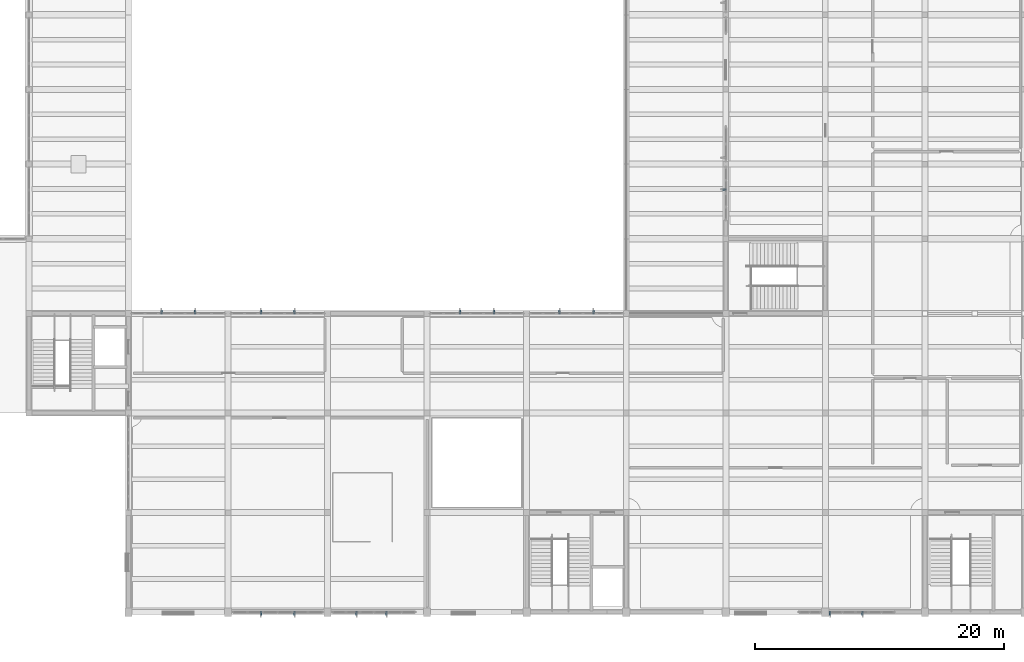
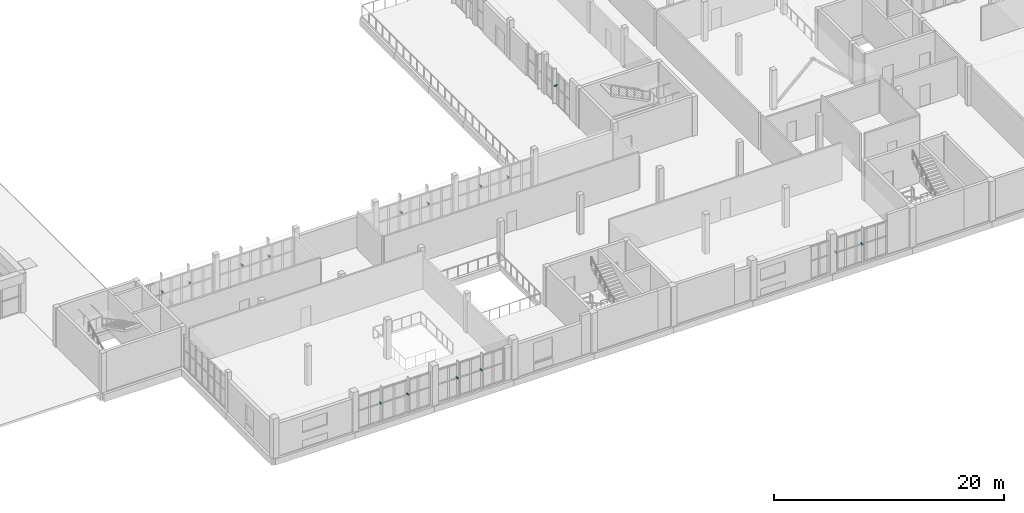
# One storey, part 59 of 70: 15 discrete accessories.
"""IFC4 building model written with IfcOpenShell, lengths in metres."""

from ifc_helpers import new_model, si_unit, direction, frame, origin, origin_2d, place, context, subcontext, project, spatial, rectangle, extrude, material, type_object, element, save


model = new_model("IFC4")

# Units and contexts
model_context = context("Model", 3, precision=1e-05, world=origin(), true_north=direction((0.0, 1.0)))
body_context = subcontext(model_context, "Body", "Model", "MODEL_VIEW")
ifc_project = project(units=[si_unit("LENGTHUNIT", "METRE"), si_unit("AREAUNIT", "SQUARE_METRE"), si_unit("VOLUMEUNIT", "CUBIC_METRE"), si_unit("PLANEANGLEUNIT", "RADIAN"), si_unit("MASSUNIT", "GRAM", prefix="KILO")], contexts=[model_context])

# Site, building, storey
site_placement = place(None, origin())
site = spatial("IfcSite", under=ifc_project, at=site_placement, CompositionType="ELEMENT")
building_placement = place(site_placement, origin())
building = spatial("IfcBuilding", under=site, at=building_placement, Name="Solvane Community Centre", CompositionType="ELEMENT")
storey_placement = place(building_placement, frame((0.0, 0.0, 9.60009765625)))
storey = spatial("IfcBuildingStorey", under=building, at=storey_placement, Name="L02", CompositionType="ELEMENT", Elevation=9.60009765625)

# Discrete accessories
ifc_material = material(Name="Steel ASTM A572 Grade 50", Category="steel")
discrete_accessory_type = type_object("IfcDiscreteAccessoryType", Name="Fin Mounting Bracket 120x120", PredefinedType="BRACKET", material=ifc_material)
for number, where, z_axis, x_axis, name in (
    (1, (127.0, 5.89990234375, 1.929931640625), (0.0, 0.0, 1.0), (-1.0, 0.0, 0.0), "Fin Bracket 73"),
    (2, (124.384765625, 5.89990234375, 1.929931640625), (0.0, 0.0, 1.0), (-1.0, 0.0, 0.0), "Fin Bracket 74"),
    (3, (88.741455078125, 5.89990234375, 1.929931640625), (0.0, 0.0, 1.0), (-1.0, 0.0, 0.0), "Fin Bracket 75"),
    (4, (86.33544921875, 5.89990234375, 1.929931640625), (0.0, 0.0, 1.0), (-1.0, 0.0, 0.0), "Fin Bracket 76"),
    (5, (81.360107421875, 5.89990234375, 1.929931640625), (0.0, 0.0, 1.0), (-1.0, 0.0, 0.0), "Fin Bracket 77"),
    (6, (78.639892578125, 5.89990234375, 1.929931640625), (0.0, 0.0, 1.0), (-1.0, 0.0, 0.0), "Fin Bracket 78"),
    (7, (70.639892578125, 30.10009765625, 1.929931640625), (0.0, 0.0, 1.0), (1.0, 0.0, 0.0), "Fin Bracket 79"),
    (8, (73.360107421875, 30.10009765625, 1.929931640625), (0.0, 0.0, 1.0), (1.0, 0.0, 0.0), "Fin Bracket 80"),
    (9, (78.639892578125, 30.10009765625, 1.929931640625), (0.0, 0.0, 1.0), (1.0, 0.0, 0.0), "Fin Bracket 81"),
    (10, (81.360107421875, 30.10009765625, 1.929931640625), (0.0, 0.0, 1.0), (1.0, 0.0, 0.0), "Fin Bracket 82"),
    (11, (94.639892578125, 30.10009765625, 1.929931640625), (0.0, 0.0, 1.0), (1.0, 0.0, 0.0), "Fin Bracket 83"),
    (12, (97.360107421875, 30.10009765625, 1.929931640625), (0.0, 0.0, 1.0), (1.0, 0.0, 0.0), "Fin Bracket 84"),
    (13, (102.639892578125, 30.10009765625, 1.929931640625), (0.0, 0.0, 1.0), (1.0, 0.0, 0.0), "Fin Bracket 85"),
    (14, (105.360107421875, 30.10009765625, 1.929931640625), (0.0, 0.0, 1.0), (1.0, 0.0, 0.0), "Fin Bracket 86"),
    (15, (115.89990234375, 39.97509765625, 1.929931640625), (0.0, 0.0, 1.0), (0.0, 1.0, 0.0), "Fin Bracket 87"),
):
    element("IfcDiscreteAccessory", number, at=place(storey_placement, frame(where, z_axis=z_axis, x_axis=x_axis)), inside=storey, type_object=discrete_accessory_type, Name=name, PredefinedType="BRACKET", context=body_context, shape_type="SweptSolid", body=[
        extrude(rectangle(XDim=0.1201171875, YDim=0.300048828125, at=origin_2d()), origin(), (0.0, 0.0, 1.0), 0.1201171875),
    ])

save(model, "model.ifc")
